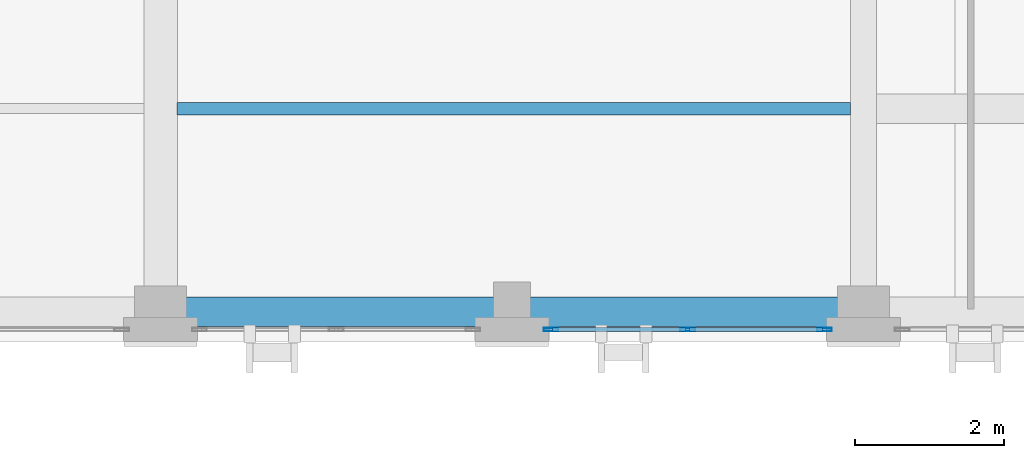
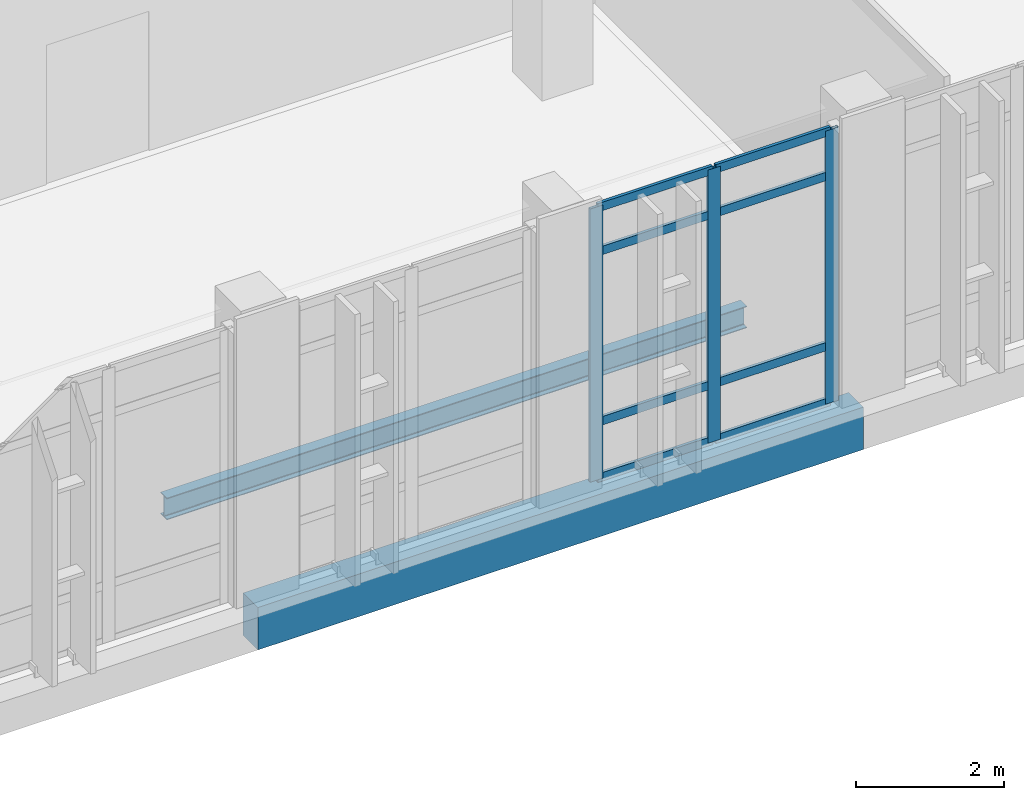
# One storey, part 32 of 189: 11 members, 2 beams, 1 element without a shape of its own.
"""IFC4 building model written with IfcOpenShell, lengths in metres."""

from ifc_helpers import new_model, si_unit, direction, frame, origin, origin_2d, place, context, subcontext, project, spatial, rectangle, hollow_rectangle, i_section, extrude, material, layer, layer_set, material_profile, profile_set, type_object, element, aggregate, save


model = new_model("IFC4")

# Units and contexts
model_context = context("Model", 3, precision=1e-05, world=origin(), true_north=direction((0.0, 1.0)))
body_context = subcontext(model_context, "Body", "Model", "MODEL_VIEW")
ifc_project = project(units=[si_unit("LENGTHUNIT", "METRE"), si_unit("AREAUNIT", "SQUARE_METRE"), si_unit("VOLUMEUNIT", "CUBIC_METRE"), si_unit("PLANEANGLEUNIT", "RADIAN"), si_unit("MASSUNIT", "GRAM", prefix="KILO")], contexts=[model_context])

# Site, building, storey
site_placement = place(None, origin())
site = spatial("IfcSite", under=ifc_project, at=site_placement, CompositionType="ELEMENT")
building_placement = place(site_placement, origin())
building = spatial("IfcBuilding", under=site, at=building_placement, Name="Qalavern Law Courts", CompositionType="ELEMENT")
storey_placement = place(building_placement, frame((0.0, 0.0, 5.39990234375)))
storey = spatial("IfcBuildingStorey", under=building, at=storey_placement, Name="L01", CompositionType="ELEMENT", Elevation=5.39990234375)

# Curtain wall, members
ifc_material_1 = material(Name="Anodised aluminium and insulated glazing", Category="aluminium")
ifc_layer = layer(ifc_material_1, 0.18505859375)
ifc_layer_set = layer_set([ifc_layer], Name="Anodised aluminium and insulated glazing")
curtain_wall_type = type_object("IfcCurtainWallType", Name="ENV-CW-HALL", PredefinedType="USERDEFINED", material=ifc_layer_set)
curtain_wall_placement = place(storey_placement, origin())
curtain_wall = element("IfcCurtainWall", 1, at=curtain_wall_placement, inside=storey, type_object=curtain_wall_type, Name="V2 unitised curtain wall L01 south 7", ObjectType="UNITISED CURTAIN WALL", PredefinedType="USERDEFINED")
ifc_material_2 = material(Name="Anodised aluminium", Category="aluminium")
ifc_material_profile_1 = material_profile(ifc_material_2, hollow_rectangle(XDim=0.048095703125, YDim=0.199951171875, WallThickness=0.00439453125, at=origin_2d()), Name="ALU MULLION 48x200")
ifc_profile_set_1 = profile_set([ifc_material_profile_1], Name="Anodised aluminium")
member_type_1 = type_object("IfcMemberType", Name="ENV-CWM-48x200", PredefinedType="MULLION", material=ifc_profile_set_1)
member_1_placement = place(storey_placement, frame((77.68798828125, 5.362548828125, 0.0), z_axis=(0.0, 0.0, 1.0), x_axis=(0.0, 1.0, 0.0)))
member_1 = element("IfcMember", 2, at=member_1_placement, type_object=member_type_1, Name="CW-02 mullion 1", PredefinedType="MULLION", context=body_context, shape_type="SweptSolid", body=[
    extrude(hollow_rectangle(XDim=0.048095703125, YDim=0.199951171875, WallThickness=0.00439453125, at=origin_2d()), origin(), (0.0, 0.0, 1.0), 4.510009765625),
])
member_2_placement = place(storey_placement, frame((79.527587890625, 5.362548828125, 0.0), z_axis=(0.0, 0.0, 1.0), x_axis=(0.0, 1.0, 0.0)))
member_2 = element("IfcMember", 3, at=member_2_placement, type_object=member_type_1, Name="CW-02 mullion 2", PredefinedType="MULLION", context=body_context, shape_type="SweptSolid", body=[
    extrude(hollow_rectangle(XDim=0.048095703125, YDim=0.199951171875, WallThickness=0.00439453125, at=origin_2d()), origin(), (0.0, 0.0, 1.0), 4.510009765625),
])
member_3_placement = place(storey_placement, frame((81.367431640625, 5.362548828125, 0.0), z_axis=(0.0, 0.0, 1.0), x_axis=(0.0, 1.0, 0.0)))
member_3 = element("IfcMember", 4, at=member_3_placement, type_object=member_type_1, Name="CW-02 mullion 3", PredefinedType="MULLION", context=body_context, shape_type="SweptSolid", body=[
    extrude(hollow_rectangle(XDim=0.048095703125, YDim=0.199951171875, WallThickness=0.00439453125, at=origin_2d()), origin(), (0.0, 0.0, 1.0), 4.510009765625),
])
ifc_material_profile_2 = material_profile(ifc_material_2, hollow_rectangle(XDim=0.048095703125, YDim=0.139892578125, WallThickness=0.00390625, at=origin_2d()), Name="ALU TRANSOM 48x140")
ifc_profile_set_2 = profile_set([ifc_material_profile_2], Name="Anodised aluminium")
member_type_2 = type_object("IfcMemberType", Name="ENV-CWT-48x140", PredefinedType="USERDEFINED", material=ifc_profile_set_2)
member_4_placement = place(storey_placement, frame((77.7119140625, 5.362548828125, 0.024169921875), z_axis=(1.0, 0.0, 0.0), x_axis=(0.0, 1.0, 0.0)))
member_4 = element("IfcMember", 5, at=member_4_placement, type_object=member_type_2, Name="CW-02 transom 1.1", ObjectType="TRANSOM", PredefinedType="USERDEFINED", context=body_context, shape_type="SweptSolid", body=[
    extrude(hollow_rectangle(XDim=0.048095703125, YDim=0.139892578125, WallThickness=0.00390625, at=origin_2d()), origin(), (0.0, 0.0, 1.0), 1.791748046875),
])
member_5_placement = place(storey_placement, frame((77.7119140625, 5.362548828125, 0.9501953125), z_axis=(1.0, 0.0, 0.0), x_axis=(0.0, 1.0, 0.0)))
member_5 = element("IfcMember", 6, at=member_5_placement, type_object=member_type_2, Name="CW-02 transom 1.2", ObjectType="TRANSOM", PredefinedType="USERDEFINED", context=body_context, shape_type="SweptSolid", body=[
    extrude(hollow_rectangle(XDim=0.048095703125, YDim=0.139892578125, WallThickness=0.00390625, at=origin_2d()), origin(), (0.0, 0.0, 1.0), 1.791748046875),
])
member_6_placement = place(storey_placement, frame((77.7119140625, 5.362548828125, 3.760009765625), z_axis=(1.0, 0.0, 0.0), x_axis=(0.0, 1.0, 0.0)))
member_6 = element("IfcMember", 7, at=member_6_placement, type_object=member_type_2, Name="CW-02 transom 1.3", ObjectType="TRANSOM", PredefinedType="USERDEFINED", context=body_context, shape_type="SweptSolid", body=[
    extrude(hollow_rectangle(XDim=0.048095703125, YDim=0.139892578125, WallThickness=0.00390625, at=origin_2d()), origin(), (0.0, 0.0, 1.0), 1.791748046875),
])
member_7_placement = place(storey_placement, frame((77.7119140625, 5.362548828125, 4.486083984375), z_axis=(1.0, 0.0, 0.0), x_axis=(0.0, 1.0, 0.0)))
member_7 = element("IfcMember", 8, at=member_7_placement, type_object=member_type_2, Name="CW-02 transom 1.4", ObjectType="TRANSOM", PredefinedType="USERDEFINED", context=body_context, shape_type="SweptSolid", body=[
    extrude(hollow_rectangle(XDim=0.048095703125, YDim=0.139892578125, WallThickness=0.00390625, at=origin_2d()), origin(), (0.0, 0.0, 1.0), 1.791748046875),
])
member_8_placement = place(storey_placement, frame((79.5517578125, 5.362548828125, 0.024169921875), z_axis=(1.0, 0.0, 0.0), x_axis=(0.0, 1.0, 0.0)))
member_8 = element("IfcMember", 9, at=member_8_placement, type_object=member_type_2, Name="CW-02 transom 2.1", ObjectType="TRANSOM", PredefinedType="USERDEFINED", context=body_context, shape_type="SweptSolid", body=[
    extrude(hollow_rectangle(XDim=0.048095703125, YDim=0.139892578125, WallThickness=0.00390625, at=origin_2d()), origin(), (0.0, 0.0, 1.0), 1.791748046875),
])
member_9_placement = place(storey_placement, frame((79.5517578125, 5.362548828125, 0.9501953125), z_axis=(1.0, 0.0, 0.0), x_axis=(0.0, 1.0, 0.0)))
member_9 = element("IfcMember", 10, at=member_9_placement, type_object=member_type_2, Name="CW-02 transom 2.2", ObjectType="TRANSOM", PredefinedType="USERDEFINED", context=body_context, shape_type="SweptSolid", body=[
    extrude(hollow_rectangle(XDim=0.048095703125, YDim=0.139892578125, WallThickness=0.00390625, at=origin_2d()), origin(), (0.0, 0.0, 1.0), 1.791748046875),
])
member_10_placement = place(storey_placement, frame((79.5517578125, 5.362548828125, 3.760009765625), z_axis=(1.0, 0.0, 0.0), x_axis=(0.0, 1.0, 0.0)))
member_10 = element("IfcMember", 11, at=member_10_placement, type_object=member_type_2, Name="CW-02 transom 2.3", ObjectType="TRANSOM", PredefinedType="USERDEFINED", context=body_context, shape_type="SweptSolid", body=[
    extrude(hollow_rectangle(XDim=0.048095703125, YDim=0.139892578125, WallThickness=0.00390625, at=origin_2d()), origin(), (0.0, 0.0, 1.0), 1.791748046875),
])
member_11_placement = place(storey_placement, frame((79.5517578125, 5.362548828125, 4.486083984375), z_axis=(1.0, 0.0, 0.0), x_axis=(0.0, 1.0, 0.0)))
member_11 = element("IfcMember", 12, at=member_11_placement, type_object=member_type_2, Name="CW-02 transom 2.4", ObjectType="TRANSOM", PredefinedType="USERDEFINED", context=body_context, shape_type="SweptSolid", body=[
    extrude(hollow_rectangle(XDim=0.048095703125, YDim=0.139892578125, WallThickness=0.00390625, at=origin_2d()), origin(), (0.0, 0.0, 1.0), 1.791748046875),
])
aggregate(curtain_wall, [member_1, member_2, member_3, member_4, member_5, member_6, member_7, member_8, member_9, member_10, member_11])

# Beams
ifc_material_3 = material(Name="Steel S355", Category="steel")
ifc_material_profile_3 = material_profile(ifc_material_3, i_section(OverallWidth=0.169921875, OverallDepth=0.360107421875, WebThickness=0.008056640625, FlangeThickness=0.0126953125, FilletRadius=0.01806640625, at=origin_2d()), Name="IPE 360")
ifc_profile_set_3 = profile_set([ifc_material_profile_3], Name="Steel S355")
beam_type_1 = type_object("IfcBeamType", Name="STR-JST-IPE360", PredefinedType="JOIST", material=ifc_profile_set_3)
beam_1_placement = place(storey_placement, frame((72.66015625, 8.333251953125, -0.47998046875), z_axis=(1.0, 0.0, 0.0), x_axis=(0.0, 1.0, 0.0)))
element("IfcBeam", 13, at=beam_1_placement, inside=storey, type_object=beam_type_1, Name="V2 secondary joist 5.1.1 L01", PredefinedType="JOIST", context=body_context, shape_type="SweptSolid", body=[
    extrude(i_section(OverallWidth=0.169921875, OverallDepth=0.360107421875, WebThickness=0.008056640625, FlangeThickness=0.0126953125, FilletRadius=0.01806640625, at=origin_2d()), origin(), (0.0, 0.0, 1.0), 9.058349609375),
])
ifc_material_4 = material(Name="Concrete C40/50", Category="concrete")
ifc_material_profile_4 = material_profile(ifc_material_4, rectangle(XDim=0.39990234375, YDim=0.699951171875, at=origin_2d()), Name="RC 400x700")
ifc_profile_set_4 = profile_set([ifc_material_profile_4], Name="Concrete C40/50")
beam_type_2 = type_object("IfcBeamType", Name="STR-SP-RC400x700", PredefinedType="SPANDREL", material=ifc_profile_set_4)
beam_2_placement = place(storey_placement, frame((72.43701171875, 5.60009765625, -0.64990234375), z_axis=(1.0, 0.0, 0.0), x_axis=(0.0, 1.0, 0.0)))
element("IfcBeam", 14, at=beam_2_placement, inside=storey, type_object=beam_type_2, Name="V2 X-beam 1-5 L01", PredefinedType="SPANDREL", context=body_context, shape_type="SweptSolid", body=[
    extrude(rectangle(XDim=0.39990234375, YDim=0.699951171875, at=origin_2d()), origin(), (0.0, 0.0, 1.0), 9.454345703125),
])

save(model, "model.ifc")
